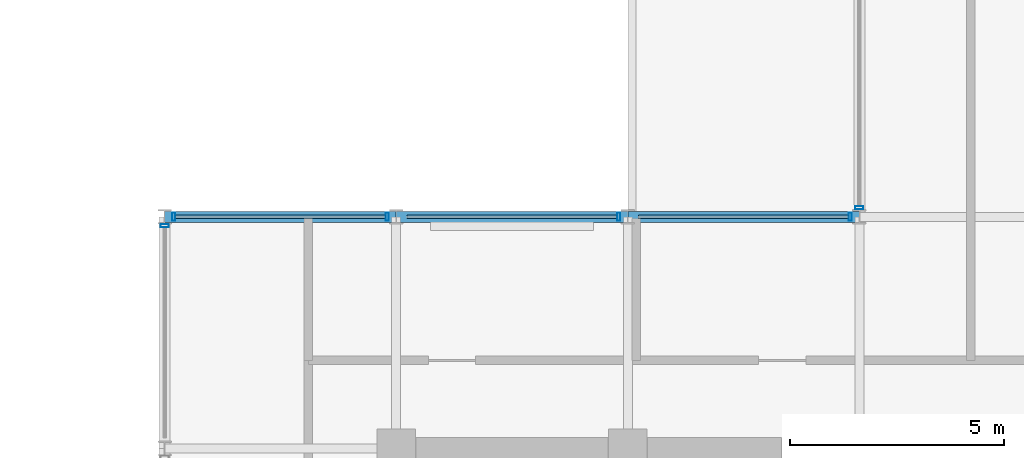
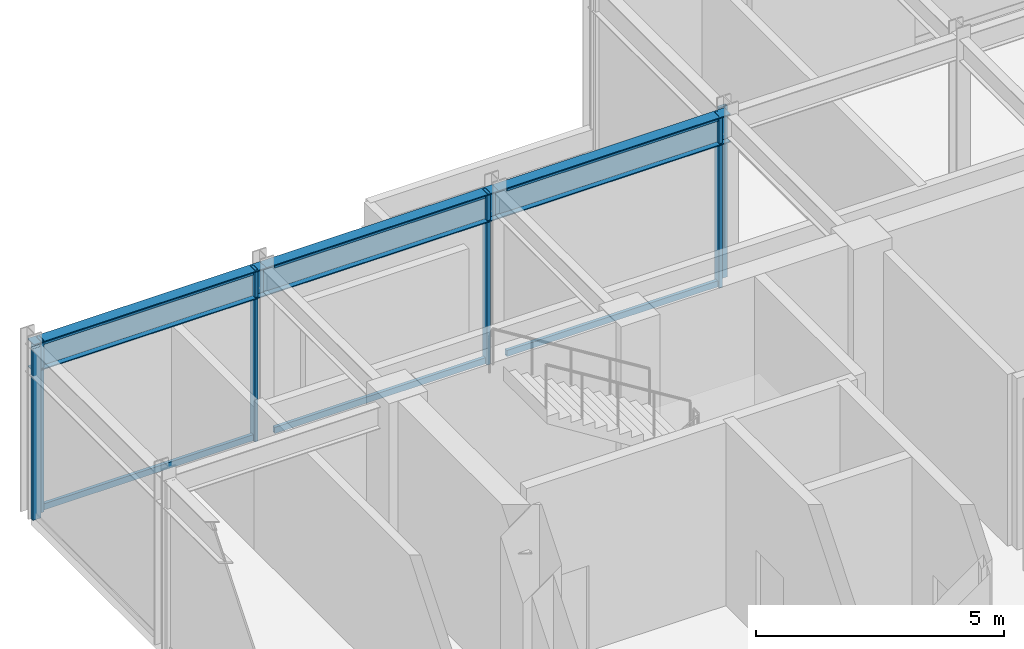
# One storey, part 10 of 18: 12 members, 3 beams, 3 elements without a shape of their own.
"""IFC4 building model written with IfcOpenShell, lengths in metres."""

from ifc_helpers import new_model, si_unit, direction, frame, origin, origin_2d, place, context, subcontext, project, spatial, hollow_rectangle, i_section, extrude, material, layer, layer_set, material_profile, profile_set, type_object, element, aggregate, save


model = new_model("IFC4")

# Units and contexts
model_context = context("Model", 3, precision=1e-05, world=origin(), true_north=direction((0.0, 1.0)))
body_context = subcontext(model_context, "Body", "Model", "MODEL_VIEW")
ifc_project = project(units=[si_unit("LENGTHUNIT", "METRE"), si_unit("AREAUNIT", "SQUARE_METRE"), si_unit("VOLUMEUNIT", "CUBIC_METRE"), si_unit("PLANEANGLEUNIT", "RADIAN"), si_unit("MASSUNIT", "GRAM", prefix="KILO")], contexts=[model_context])

# Site, building, storey
site_placement = place(None, origin())
site = spatial("IfcSite", under=ifc_project, at=site_placement, CompositionType="ELEMENT")
building_placement = place(site_placement, origin())
building = spatial("IfcBuilding", under=site, at=building_placement, Name="Surkhivell Harbour Commons", CompositionType="ELEMENT")
storey_placement = place(building_placement, frame((0.0, 0.0, 351.0)))
storey = spatial("IfcBuildingStorey", under=building, at=storey_placement, Name="L91", CompositionType="ELEMENT", Elevation=351.0)

# Beams
ifc_material_1 = material(Name="Steel S355", Category="steel")
ifc_material_profile_1 = material_profile(ifc_material_1, i_section(OverallWidth=0.256103515625, OverallDepth=0.693115234375, WebThickness=0.014404296875, FlangeThickness=0.023681640625, at=origin_2d()), Name="UB686x254x170")
ifc_profile_set_1 = profile_set([ifc_material_profile_1], Name="Steel S355")
beam_type = type_object("IfcBeamType", Name="BM-SPN-686", PredefinedType="SPANDREL", material=ifc_profile_set_1)
beam_1_placement = place(storey_placement, frame((-16.199951171875, 16.199951171875, 3.87353515625), z_axis=(1.0, 0.0, 0.0), x_axis=(0.0, 1.0, 0.0)))
element("IfcBeam", 1, at=beam_1_placement, inside=storey, type_object=beam_type, Name="L91 Tube Spandrel (-16.2,16.2)", PredefinedType="SPANDREL", context=body_context, shape_type="SweptSolid", body=[
    extrude(i_section(OverallWidth=0.256103515625, OverallDepth=0.693115234375, WebThickness=0.014404296875, FlangeThickness=0.023681640625, at=origin_2d()), origin(), (0.0, 0.0, 1.0), 5.39990234375),
])
beam_2_placement = place(storey_placement, frame((-10.800048828125, 16.199951171875, 3.87353515625), z_axis=(1.0, 0.0, 0.0), x_axis=(0.0, 1.0, 0.0)))
element("IfcBeam", 2, at=beam_2_placement, inside=storey, type_object=beam_type, Name="L91 Tube Spandrel (-10.8,16.2)", PredefinedType="SPANDREL", context=body_context, shape_type="SweptSolid", body=[
    extrude(i_section(OverallWidth=0.256103515625, OverallDepth=0.693115234375, WebThickness=0.014404296875, FlangeThickness=0.023681640625, at=origin_2d()), origin(), (0.0, 0.0, 1.0), 5.400146484375),
])
beam_3_placement = place(storey_placement, frame((-5.39990234375, 16.199951171875, 3.87353515625), z_axis=(1.0, 0.0, 0.0), x_axis=(0.0, 1.0, 0.0)))
element("IfcBeam", 3, at=beam_3_placement, inside=storey, type_object=beam_type, Name="L91 Tube Spandrel (-5.4,16.2)", PredefinedType="SPANDREL", context=body_context, shape_type="SweptSolid", body=[
    extrude(i_section(OverallWidth=0.256103515625, OverallDepth=0.693115234375, WebThickness=0.014404296875, FlangeThickness=0.023681640625, at=origin_2d()), origin(), (0.0, 0.0, 1.0), 5.39990234375),
])

# Curtain wall, member
ifc_material_2 = material(Name="Anodised pale-metal aluminium and insulated glazing", Category="aluminium")
ifc_layer = layer(ifc_material_2, 0.22998046875)
ifc_layer_set = layer_set([ifc_layer], Name="Anodised pale-metal aluminium and insulated glazing")
curtain_wall_type = type_object("IfcCurtainWallType", Name="CW-SYS-CRN", PredefinedType="NOTDEFINED", material=ifc_layer_set)
curtain_wall_1_placement = place(storey_placement, origin())
curtain_wall_1 = element("IfcCurtainWall", 4, at=curtain_wall_1_placement, inside=storey, type_object=curtain_wall_type, Name="L91 Curtain Wall CW-L91-C02S1", PredefinedType="NOTDEFINED")
ifc_material_3 = material(Name="Anodised pale-metal aluminium alloy 6063-T6", Category="aluminium")
ifc_material_profile_2 = material_profile(ifc_material_3, hollow_rectangle(XDim=0.074951171875, YDim=0.18994140625, WallThickness=0.00390625, at=origin_2d()), Name="ALU-MULL-75x190")
ifc_profile_set_2 = profile_set([ifc_material_profile_2], Name="Anodised pale-metal aluminium alloy 6063-T6")
member_type_1 = type_object("IfcMemberType", Name="CWM-190", PredefinedType="MULLION", material=ifc_profile_set_2)
member_1_placement = place(storey_placement, frame((0.0, 16.409423828125, 0.0), z_axis=(0.0, 0.0, 1.0), x_axis=(0.0, -1.0, 0.0)))
member_1 = element("IfcMember", 5, at=member_1_placement, type_object=member_type_1, Name="CW-CRN mullion 2", PredefinedType="MULLION", context=body_context, shape_type="SweptSolid", body=[
    extrude(hollow_rectangle(XDim=0.074951171875, YDim=0.18994140625, WallThickness=0.00390625, at=origin_2d()), origin(), (0.0, 0.0, 1.0), 4.219970703125),
])
aggregate(curtain_wall_1, [member_1])

# Curtain wall, members
curtain_wall_2_placement = place(storey_placement, origin())
curtain_wall_2 = element("IfcCurtainWall", 6, at=curtain_wall_2_placement, inside=storey, type_object=curtain_wall_type, Name="L91 Curtain Wall CW-L91-C03", PredefinedType="NOTDEFINED")
member_2_placement = place(storey_placement, frame((-0.20947265625, 16.199951171875, 0.0), z_axis=(0.0, 0.0, 1.0), x_axis=(-1.0, 0.0, 0.0)))
member_2 = element("IfcMember", 7, at=member_2_placement, type_object=member_type_1, Name="CW-CRN mullion 1", PredefinedType="MULLION", context=body_context, shape_type="SweptSolid", body=[
    extrude(hollow_rectangle(XDim=0.074951171875, YDim=0.18994140625, WallThickness=0.00390625, at=origin_2d()), origin(), (0.0, 0.0, 1.0), 4.219970703125),
])
member_3_placement = place(storey_placement, frame((-5.609619140625, 16.199951171875, 0.0), z_axis=(0.0, 0.0, 1.0), x_axis=(-1.0, 0.0, 0.0)))
member_3 = element("IfcMember", 8, at=member_3_placement, type_object=member_type_1, Name="CW-CRN mullion 2", PredefinedType="MULLION", context=body_context, shape_type="SweptSolid", body=[
    extrude(hollow_rectangle(XDim=0.074951171875, YDim=0.18994140625, WallThickness=0.00390625, at=origin_2d()), origin(), (0.0, 0.0, 1.0), 4.219970703125),
])
member_4_placement = place(storey_placement, frame((-11.009521484375, 16.199951171875, 0.0), z_axis=(0.0, 0.0, 1.0), x_axis=(-1.0, 0.0, 0.0)))
member_4 = element("IfcMember", 9, at=member_4_placement, type_object=member_type_1, Name="CW-CRN mullion 3", PredefinedType="MULLION", context=body_context, shape_type="SweptSolid", body=[
    extrude(hollow_rectangle(XDim=0.074951171875, YDim=0.18994140625, WallThickness=0.00390625, at=origin_2d()), origin(), (0.0, 0.0, 1.0), 4.219970703125),
])
member_5_placement = place(storey_placement, frame((-15.990478515625, 16.199951171875, 0.0), z_axis=(0.0, 0.0, 1.0), x_axis=(-1.0, 0.0, 0.0)))
member_5 = element("IfcMember", 10, at=member_5_placement, type_object=member_type_1, Name="CW-CRN mullion 4", PredefinedType="MULLION", context=body_context, shape_type="SweptSolid", body=[
    extrude(hollow_rectangle(XDim=0.074951171875, YDim=0.18994140625, WallThickness=0.00390625, at=origin_2d()), origin(), (0.0, 0.0, 1.0), 4.219970703125),
])

# Curtain wall, member
curtain_wall_3_placement = place(storey_placement, origin())
curtain_wall_3 = element("IfcCurtainWall", 11, at=curtain_wall_3_placement, inside=storey, type_object=curtain_wall_type, Name="L91 Curtain Wall CW-L91-C04S1", PredefinedType="NOTDEFINED")
member_6_placement = place(storey_placement, frame((-16.199951171875, 15.990478515625, 0.0), z_axis=(0.0, 0.0, 1.0), x_axis=(0.0, -1.0, 0.0)))
member_6 = element("IfcMember", 12, at=member_6_placement, type_object=member_type_1, Name="CW-CRN mullion 1", PredefinedType="MULLION", context=body_context, shape_type="SweptSolid", body=[
    extrude(hollow_rectangle(XDim=0.074951171875, YDim=0.18994140625, WallThickness=0.00390625, at=origin_2d()), origin(), (0.0, 0.0, 1.0), 4.219970703125),
])
aggregate(curtain_wall_3, [member_6])

# Member
ifc_material_profile_3 = material_profile(ifc_material_3, hollow_rectangle(XDim=0.074951171875, YDim=0.14990234375, WallThickness=0.00341796875, at=origin_2d()), Name="ALU-TRAN-75x150")
ifc_profile_set_3 = profile_set([ifc_material_profile_3], Name="Anodised pale-metal aluminium alloy 6063-T6")
member_type_2 = type_object("IfcMemberType", Name="CWT-150", PredefinedType="USERDEFINED", material=ifc_profile_set_3)
member_7_placement = place(storey_placement, frame((-0.2470703125, 16.199951171875, 0.074951171875), z_axis=(-1.0, 0.0, 0.0), x_axis=(0.0, -1.0, 0.0)))
member_7 = element("IfcMember", 13, at=member_7_placement, type_object=member_type_2, Name="CW-CRN transom 1.1", ObjectType="TRANSOM", PredefinedType="USERDEFINED", context=body_context, shape_type="SweptSolid", body=[
    extrude(hollow_rectangle(XDim=0.074951171875, YDim=0.14990234375, WallThickness=0.00341796875, at=origin_2d()), origin(), (0.0, 0.0, 1.0), 4.906005859375),
])

member_8_placement = place(storey_placement, frame((-0.2470703125, 16.199951171875, 4.14501953125), z_axis=(-1.0, 0.0, 0.0), x_axis=(0.0, -1.0, 0.0)))
member_8 = element("IfcMember", 14, at=member_8_placement, type_object=member_type_2, Name="CW-CRN transom 1.2", ObjectType="TRANSOM", PredefinedType="USERDEFINED", context=body_context, shape_type="SweptSolid", body=[
    extrude(hollow_rectangle(XDim=0.074951171875, YDim=0.14990234375, WallThickness=0.00341796875, at=origin_2d()), origin(), (0.0, 0.0, 1.0), 4.906005859375),
])

member_9_placement = place(storey_placement, frame((-5.64697265625, 16.199951171875, 0.074951171875), z_axis=(-1.0, 0.0, 0.0), x_axis=(0.0, -1.0, 0.0)))
member_9 = element("IfcMember", 15, at=member_9_placement, type_object=member_type_2, Name="CW-CRN transom 2.1", ObjectType="TRANSOM", PredefinedType="USERDEFINED", context=body_context, shape_type="SweptSolid", body=[
    extrude(hollow_rectangle(XDim=0.074951171875, YDim=0.14990234375, WallThickness=0.00341796875, at=origin_2d()), origin(), (0.0, 0.0, 1.0), 4.906005859375),
])

member_10_placement = place(storey_placement, frame((-5.64697265625, 16.199951171875, 4.14501953125), z_axis=(-1.0, 0.0, 0.0), x_axis=(0.0, -1.0, 0.0)))
member_10 = element("IfcMember", 16, at=member_10_placement, type_object=member_type_2, Name="CW-CRN transom 2.2", ObjectType="TRANSOM", PredefinedType="USERDEFINED", context=body_context, shape_type="SweptSolid", body=[
    extrude(hollow_rectangle(XDim=0.074951171875, YDim=0.14990234375, WallThickness=0.00341796875, at=origin_2d()), origin(), (0.0, 0.0, 1.0), 4.906005859375),
])

member_11_placement = place(storey_placement, frame((-11.047119140625, 16.199951171875, 0.074951171875), z_axis=(-1.0, 0.0, 0.0), x_axis=(0.0, -1.0, 0.0)))
member_11 = element("IfcMember", 17, at=member_11_placement, type_object=member_type_2, Name="CW-CRN transom 3.1", ObjectType="TRANSOM", PredefinedType="USERDEFINED", context=body_context, shape_type="SweptSolid", body=[
    extrude(hollow_rectangle(XDim=0.074951171875, YDim=0.14990234375, WallThickness=0.00341796875, at=origin_2d()), origin(), (0.0, 0.0, 1.0), 4.90576171875),
])

member_12_placement = place(storey_placement, frame((-11.047119140625, 16.199951171875, 4.14501953125), z_axis=(-1.0, 0.0, 0.0), x_axis=(0.0, -1.0, 0.0)))
member_12 = element("IfcMember", 18, at=member_12_placement, type_object=member_type_2, Name="CW-CRN transom 3.2", ObjectType="TRANSOM", PredefinedType="USERDEFINED", context=body_context, shape_type="SweptSolid", body=[
    extrude(hollow_rectangle(XDim=0.074951171875, YDim=0.14990234375, WallThickness=0.00341796875, at=origin_2d()), origin(), (0.0, 0.0, 1.0), 4.90576171875),
])

aggregate(curtain_wall_2, [member_2, member_7, member_8, member_3, member_9, member_10, member_4, member_5, member_11, member_12])

save(model, "model.ifc")
